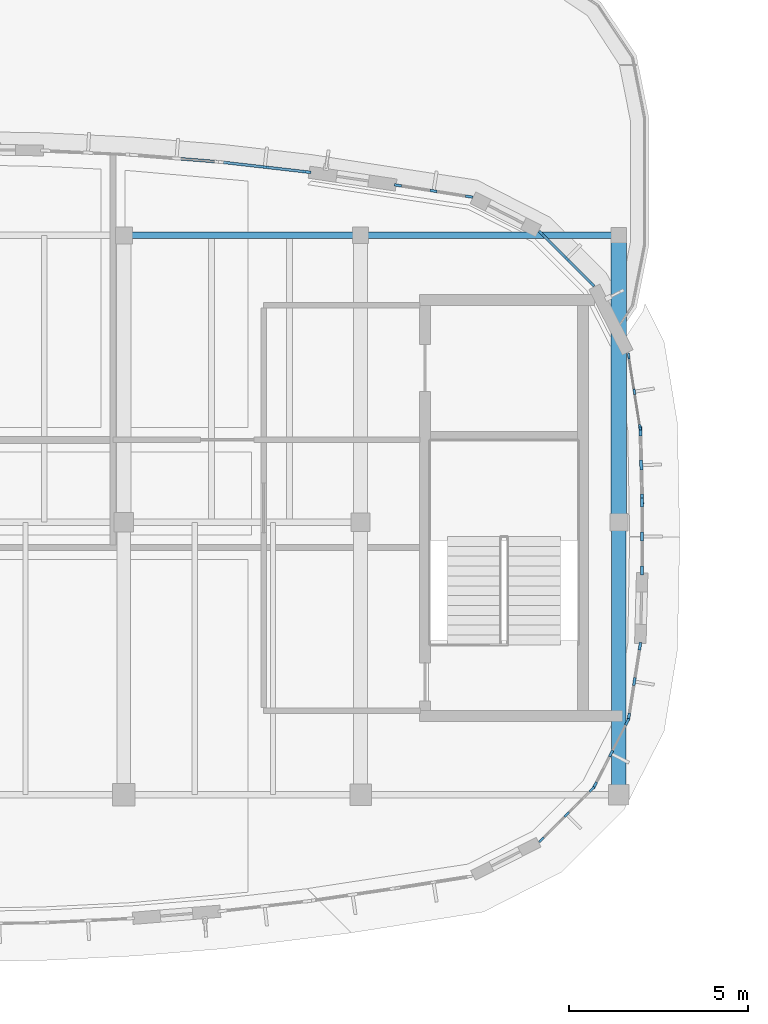
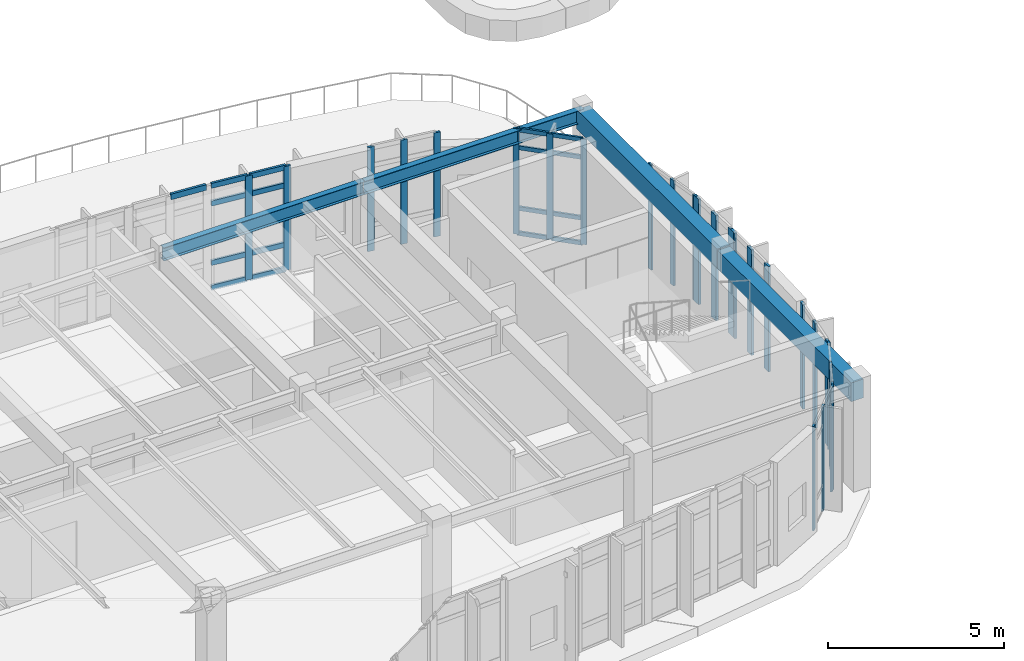
# One storey, part 32 of 111: 43 members, 4 beams, 10 elements without a shape of their own.
"""IFC4 building model written with IfcOpenShell, lengths in metres."""

from ifc_helpers import new_model, si_unit, direction, frame, origin, origin_2d, place, context, subcontext, project, spatial, rectangle, i_section, extrude, material, material_profile, profile_set, type_object, element, aggregate, save


model = new_model("IFC4")

# Units and contexts
model_context = context("Model", 3, precision=1e-05, world=origin(), true_north=direction((0.0, 1.0)))
body_context = subcontext(model_context, "Body", "Model", "MODEL_VIEW")
ifc_project = project(units=[si_unit("LENGTHUNIT", "METRE"), si_unit("AREAUNIT", "SQUARE_METRE"), si_unit("VOLUMEUNIT", "CUBIC_METRE"), si_unit("PLANEANGLEUNIT", "RADIAN"), si_unit("MASSUNIT", "GRAM", prefix="KILO")], contexts=[model_context])

# Site, building, storey
site_placement = place(None, origin())
site = spatial("IfcSite", under=ifc_project, at=site_placement, CompositionType="ELEMENT")
building_placement = place(site_placement, origin())
building = spatial("IfcBuilding", under=site, at=building_placement, Name="Corveleigh Park Community Centre", CompositionType="ELEMENT")
storey_placement = place(building_placement, frame((0.0, 0.0, 4.800048828125)))
storey = spatial("IfcBuildingStorey", under=building, at=storey_placement, Name="L01", CompositionType="ELEMENT", Elevation=4.800048828125)

# Beams
ifc_material_1 = material(Name="Concrete C40/50", Category="concrete")
ifc_material_profile_1 = material_profile(ifc_material_1, rectangle(XDim=0.39990234375, YDim=0.64990234375, at=origin_2d()), Name="RC-400x650", Category="concrete")
ifc_profile_set_1 = profile_set([ifc_material_profile_1], Name="Concrete C40/50")
beam_type_1 = type_object("IfcBeamType", Name="BM-RC-400x650", PredefinedType="BEAM", material=ifc_profile_set_1)
beam_1_placement = place(storey_placement, frame((108.0, 11.205078125, 3.294921875), z_axis=(0.0, 1.0, 0.0), x_axis=(-1.0, 0.0, 0.0)))
element("IfcBeam", 1, at=beam_1_placement, inside=storey, type_object=beam_type_1, Name="V3 Girder Y", PredefinedType="BEAM", context=body_context, shape_type="SweptSolid", body=[
    extrude(rectangle(XDim=0.39990234375, YDim=0.64990234375, at=origin_2d()), origin(), (0.0, 0.0, 1.0), 7.58984375),
])
ifc_material_profile_2 = material_profile(ifc_material_1, rectangle(XDim=0.425048828125, YDim=0.675048828125, at=origin_2d()), Name="RC-425x675", Category="concrete")
ifc_profile_set_2 = profile_set([ifc_material_profile_2], Name="Concrete C40/50")
beam_type_2 = type_object("IfcBeamType", Name="BM-RC-425x675", PredefinedType="BEAM", material=ifc_profile_set_2)
beam_2_placement = place(storey_placement, frame((108.0, 18.804931640625, 3.3193359375), z_axis=(0.0, 1.0, 0.0), x_axis=(-1.0, 0.0, 0.0)))
element("IfcBeam", 2, at=beam_2_placement, inside=storey, type_object=beam_type_2, Name="V3 Girder Y", PredefinedType="BEAM", context=body_context, shape_type="SweptSolid", body=[
    extrude(rectangle(XDim=0.425048828125, YDim=0.675048828125, at=origin_2d()), origin(), (0.0, 0.0, 1.0), 7.989990234375),
])
ifc_material_2 = material(Name="Steel S355", Category="steel")
ifc_material_profile_3 = material_profile(ifc_material_2, i_section(OverallWidth=0.18994140625, OverallDepth=0.453369140625, WebThickness=0.008544921875, FlangeThickness=0.0126953125, at=origin_2d()), Name="UKB 457x191x67", Category="steel")
ifc_profile_set_3 = profile_set([ifc_material_profile_3], Name="Steel S355")
beam_type_3 = type_object("IfcBeamType", Name="BM-STL-UKB457x67", PredefinedType="BEAM", material=ifc_profile_set_3)
beam_3_placement = place(storey_placement, frame((94.205078125, 26.800048828125, 3.43017578125), z_axis=(1.0, 0.0, 0.0), x_axis=(0.0, 1.0, 0.0)))
element("IfcBeam", 3, at=beam_3_placement, inside=storey, type_object=beam_type_3, Name="V3 Girder X", PredefinedType="BEAM", context=body_context, shape_type="SweptSolid", body=[
    extrude(i_section(OverallWidth=0.18994140625, OverallDepth=0.453369140625, WebThickness=0.008544921875, FlangeThickness=0.0126953125, at=origin_2d()), origin(), (0.0, 0.0, 1.0), 6.58984375),
])
ifc_material_profile_4 = material_profile(ifc_material_2, i_section(OverallWidth=0.1904296875, OverallDepth=0.45703125, WebThickness=0.009033203125, FlangeThickness=0.014404296875, at=origin_2d()), Name="UKB 457x191x74", Category="steel")
ifc_profile_set_4 = profile_set([ifc_material_profile_4], Name="Steel S355")
beam_type_4 = type_object("IfcBeamType", Name="BM-STL-UKB457x74", PredefinedType="BEAM", material=ifc_profile_set_4)
beam_4_placement = place(storey_placement, frame((100.804931640625, 26.800048828125, 3.428466796875), z_axis=(1.0, 0.0, 0.0), x_axis=(0.0, 1.0, 0.0)))
element("IfcBeam", 4, at=beam_4_placement, inside=storey, type_object=beam_type_4, Name="V3 Girder X", PredefinedType="BEAM", context=body_context, shape_type="SweptSolid", body=[
    extrude(i_section(OverallWidth=0.1904296875, OverallDepth=0.45703125, WebThickness=0.009033203125, FlangeThickness=0.014404296875, at=origin_2d()), origin(), (0.0, 0.0, 1.0), 7.190185546875),
])

# Curtain wall, members
ifc_material_3 = material(Name="Anodised aluminium 6063-T6", Category="aluminium")
curtain_wall_type = type_object("IfcCurtainWallType", Name="CW-SYS-V3-UPP", PredefinedType="NOTDEFINED", material=ifc_material_3)
curtain_wall_1_placement = place(storey_placement, origin())
curtain_wall_1 = element("IfcCurtainWall", 5, at=curtain_wall_1_placement, inside=storey, type_object=curtain_wall_type, Name="V3 L01 Curtain Wall 241", PredefinedType="NOTDEFINED")
ifc_material_profile_5 = material_profile(ifc_material_3, rectangle(XDim=0.06005859375, YDim=0.159912109375, at=origin_2d()), Name="ALU-M60x160", Category="aluminium")
ifc_profile_set_5 = profile_set([ifc_material_profile_5], Name="Anodised aluminium 6063-T6")
member_type_1 = type_object("IfcMemberType", Name="CWM-60x160", PredefinedType="MULLION", material=ifc_profile_set_5)
member_1_placement = place(storey_placement, frame((108.277587890625, 23.433349609375, 0.0), z_axis=(0.0, 0.0, 1.0), x_axis=(0.987668756947, 0.156558061275, 0.0)))
member_1 = element("IfcMember", 6, at=member_1_placement, type_object=member_type_1, Name="CW06 mullion 1", PredefinedType="MULLION", context=body_context, shape_type="SweptSolid", body=[
    extrude(rectangle(XDim=0.06005859375, YDim=0.159912109375, at=origin_2d()), origin(), (0.0, 0.0, 1.0), 3.656982421875),
])
member_2_placement = place(storey_placement, frame((108.43505859375, 22.44091796875, 0.0), z_axis=(0.0, 0.0, 1.0), x_axis=(0.987668756947, 0.156558061275, 0.0)))
member_2 = element("IfcMember", 7, at=member_2_placement, type_object=member_type_1, Name="CW06 mullion 2", PredefinedType="MULLION", context=body_context, shape_type="SweptSolid", body=[
    extrude(rectangle(XDim=0.06005859375, YDim=0.159912109375, at=origin_2d()), origin(), (0.0, 0.0, 1.0), 3.656982421875),
])
member_3_placement = place(storey_placement, frame((108.59228515625, 21.44873046875, 0.0), z_axis=(0.0, 0.0, 1.0), x_axis=(0.987668756947, 0.156558061275, 0.0)))
member_3 = element("IfcMember", 8, at=member_3_placement, type_object=member_type_1, Name="CW06 mullion 3", PredefinedType="MULLION", context=body_context, shape_type="SweptSolid", body=[
    extrude(rectangle(XDim=0.06005859375, YDim=0.159912109375, at=origin_2d()), origin(), (0.0, 0.0, 1.0), 3.656982421875),
])
aggregate(curtain_wall_1, [member_1, member_2, member_3])

curtain_wall_2_placement = place(storey_placement, origin())
curtain_wall_2 = element("IfcCurtainWall", 9, at=curtain_wall_2_placement, inside=storey, type_object=curtain_wall_type, Name="V3 L01 Curtain Wall 236", PredefinedType="NOTDEFINED")
ifc_material_profile_6 = material_profile(ifc_material_3, rectangle(XDim=0.06494140625, YDim=0.179931640625, at=origin_2d()), Name="ALU-M65x180", Category="aluminium")
ifc_profile_set_6 = profile_set([ifc_material_profile_6], Name="Anodised aluminium 6063-T6")
member_type_2 = type_object("IfcMemberType", Name="CWM-65x180", PredefinedType="MULLION", material=ifc_profile_set_6)
member_4_placement = place(storey_placement, frame((107.2509765625, 11.35302734375, 0.0), z_axis=(0.0, 0.0, 1.0), x_axis=(0.707106781187, -0.707106781187, 0.0)))
member_4 = element("IfcMember", 10, at=member_4_placement, type_object=member_type_2, Name="CW06 mullion 1", PredefinedType="MULLION", context=body_context, shape_type="SweptSolid", body=[
    extrude(rectangle(XDim=0.06494140625, YDim=0.179931640625, at=origin_2d()), origin(), (0.0, 0.0, 1.0), 3.619873046875),
])
member_5_placement = place(storey_placement, frame((106.549072265625, 10.65087890625, 0.0), z_axis=(0.0, 0.0, 1.0), x_axis=(0.707106781187, -0.707106781187, 0.0)))
member_5 = element("IfcMember", 11, at=member_5_placement, type_object=member_type_2, Name="CW06 mullion 2", PredefinedType="MULLION", context=body_context, shape_type="SweptSolid", body=[
    extrude(rectangle(XDim=0.06494140625, YDim=0.179931640625, at=origin_2d()), origin(), (0.0, 0.0, 1.0), 3.619873046875),
])
member_6_placement = place(storey_placement, frame((105.846923828125, 9.948974609375, 0.0), z_axis=(0.0, 0.0, 1.0), x_axis=(0.707106781187, -0.707106781187, 0.0)))
member_6 = element("IfcMember", 12, at=member_6_placement, type_object=member_type_2, Name="CW06 mullion 3", PredefinedType="MULLION", context=body_context, shape_type="SweptSolid", body=[
    extrude(rectangle(XDim=0.06494140625, YDim=0.179931640625, at=origin_2d()), origin(), (0.0, 0.0, 1.0), 3.619873046875),
])
aggregate(curtain_wall_2, [member_4, member_5, member_6])

curtain_wall_3_placement = place(storey_placement, origin())
curtain_wall_3 = element("IfcCurtainWall", 13, at=curtain_wall_3_placement, inside=storey, type_object=curtain_wall_type, Name="V3 L01 Curtain Wall 242", PredefinedType="NOTDEFINED")
member_7_placement = place(storey_placement, frame((105.846923828125, 26.85107421875, 0.0), z_axis=(0.0, 0.0, 1.0), x_axis=(0.707106781187, 0.707106781187, 0.0)))
member_7 = element("IfcMember", 14, at=member_7_placement, type_object=member_type_2, Name="CW06 mullion 1", PredefinedType="MULLION", context=body_context, shape_type="SweptSolid", body=[
    extrude(rectangle(XDim=0.06494140625, YDim=0.179931640625, at=origin_2d()), origin(), (0.0, 0.0, 1.0), 3.656982421875),
])
member_8_placement = place(storey_placement, frame((106.549072265625, 26.14892578125, 0.0), z_axis=(0.0, 0.0, 1.0), x_axis=(0.707106781187, 0.707106781187, 0.0)))
member_8 = element("IfcMember", 15, at=member_8_placement, type_object=member_type_2, Name="CW06 mullion 2", PredefinedType="MULLION", context=body_context, shape_type="SweptSolid", body=[
    extrude(rectangle(XDim=0.06494140625, YDim=0.179931640625, at=origin_2d()), origin(), (0.0, 0.0, 1.0), 3.656982421875),
])
member_9_placement = place(storey_placement, frame((107.2509765625, 25.447021484375, 0.0), z_axis=(0.0, 0.0, 1.0), x_axis=(0.707106781187, 0.707106781187, 0.0)))
member_9 = element("IfcMember", 16, at=member_9_placement, type_object=member_type_2, Name="CW06 mullion 3", PredefinedType="MULLION", context=body_context, shape_type="SweptSolid", body=[
    extrude(rectangle(XDim=0.06494140625, YDim=0.179931640625, at=origin_2d()), origin(), (0.0, 0.0, 1.0), 3.656982421875),
])

curtain_wall_4_placement = place(storey_placement, origin())
curtain_wall_4 = element("IfcCurtainWall", 17, at=curtain_wall_4_placement, inside=storey, type_object=curtain_wall_type, Name="V3 L01 Curtain Wall 237", PredefinedType="NOTDEFINED")
ifc_material_profile_7 = material_profile(ifc_material_3, rectangle(XDim=0.070068359375, YDim=0.199951171875, at=origin_2d()), Name="ALU-M70x200", Category="aluminium")
ifc_profile_set_7 = profile_set([ifc_material_profile_7], Name="Anodised aluminium 6063-T6")
member_type_3 = type_object("IfcMemberType", Name="CWM-70x200", PredefinedType="MULLION", material=ifc_profile_set_7)
member_10_placement = place(storey_placement, frame((108.234130859375, 13.23388671875, 0.0), z_axis=(0.0, 0.0, 1.0), x_axis=(0.890890679418, -0.454217786228, 0.0)))
member_10 = element("IfcMember", 18, at=member_10_placement, type_object=member_type_3, Name="CW06 mullion 1", PredefinedType="MULLION", context=body_context, shape_type="SweptSolid", body=[
    extrude(rectangle(XDim=0.070068359375, YDim=0.199951171875, at=origin_2d()), origin(), (0.0, 0.0, 1.0), 3.619873046875),
])
member_11_placement = place(storey_placement, frame((107.783935546875, 12.35107421875, 0.0), z_axis=(0.0, 0.0, 1.0), x_axis=(0.890890679418, -0.454217786228, 0.0)))
member_11 = element("IfcMember", 19, at=member_11_placement, type_object=member_type_3, Name="CW06 mullion 2", PredefinedType="MULLION", context=body_context, shape_type="SweptSolid", body=[
    extrude(rectangle(XDim=0.070068359375, YDim=0.199951171875, at=origin_2d()), origin(), (0.0, 0.0, 1.0), 3.619873046875),
])
member_12_placement = place(storey_placement, frame((107.333984375, 11.46826171875, 0.0), z_axis=(0.0, 0.0, 1.0), x_axis=(0.890890679418, -0.454217786228, 0.0)))
member_12 = element("IfcMember", 20, at=member_12_placement, type_object=member_type_3, Name="CW06 mullion 3", PredefinedType="MULLION", context=body_context, shape_type="SweptSolid", body=[
    extrude(rectangle(XDim=0.070068359375, YDim=0.199951171875, at=origin_2d()), origin(), (0.0, 0.0, 1.0), 3.619873046875),
])
aggregate(curtain_wall_4, [member_10, member_11, member_12])

curtain_wall_5_placement = place(storey_placement, origin())
curtain_wall_5 = element("IfcCurtainWall", 21, at=curtain_wall_5_placement, inside=storey, type_object=curtain_wall_type, Name="V3 L01 Curtain Wall 243", PredefinedType="NOTDEFINED")
member_13_placement = place(storey_placement, frame((101.841552734375, 28.193603515625, 0.0), z_axis=(0.0, 0.0, 1.0), x_axis=(0.156603912946, 0.987661487783, 0.0)))
member_13 = element("IfcMember", 22, at=member_13_placement, type_object=member_type_3, Name="CW06 mullion 1", PredefinedType="MULLION", context=body_context, shape_type="SweptSolid", body=[
    extrude(rectangle(XDim=0.070068359375, YDim=0.199951171875, at=origin_2d()), origin(), (0.0, 0.0, 1.0), 3.612060546875),
])
member_14_placement = place(storey_placement, frame((102.8349609375, 28.035888671875, 0.0), z_axis=(0.0, 0.0, 1.0), x_axis=(0.156603912946, 0.987661487783, 0.0)))
member_14 = element("IfcMember", 23, at=member_14_placement, type_object=member_type_3, Name="CW06 mullion 2", PredefinedType="MULLION", context=body_context, shape_type="SweptSolid", body=[
    extrude(rectangle(XDim=0.070068359375, YDim=0.199951171875, at=origin_2d()), origin(), (0.0, 0.0, 1.0), 3.612060546875),
])
member_15_placement = place(storey_placement, frame((103.828369140625, 27.87841796875, 0.0), z_axis=(0.0, 0.0, 1.0), x_axis=(0.156603912946, 0.987661487783, 0.0)))
member_15 = element("IfcMember", 24, at=member_15_placement, type_object=member_type_3, Name="CW06 mullion 3", PredefinedType="MULLION", context=body_context, shape_type="SweptSolid", body=[
    extrude(rectangle(XDim=0.070068359375, YDim=0.199951171875, at=origin_2d()), origin(), (0.0, 0.0, 1.0), 3.612060546875),
])
aggregate(curtain_wall_5, [member_13, member_14, member_15])

curtain_wall_6_placement = place(storey_placement, origin())
curtain_wall_6 = element("IfcCurtainWall", 25, at=curtain_wall_6_placement, inside=storey, type_object=curtain_wall_type, Name="V3 L01 Curtain Wall 238", PredefinedType="NOTDEFINED")
ifc_material_profile_8 = material_profile(ifc_material_3, rectangle(XDim=0.074951171875, YDim=0.219970703125, at=origin_2d()), Name="ALU-M75x220", Category="aluminium")
ifc_profile_set_8 = profile_set([ifc_material_profile_8], Name="Anodised aluminium 6063-T6")
member_type_4 = type_object("IfcMemberType", Name="CWM-75x220", PredefinedType="MULLION", material=ifc_profile_set_8)
member_16_placement = place(storey_placement, frame((108.591064453125, 15.343994140625, 0.0), z_axis=(0.0, 0.0, 1.0), x_axis=(0.987668756947, -0.156558061275, 0.0)))
member_16 = element("IfcMember", 26, at=member_16_placement, type_object=member_type_4, Name="CW06 mullion 1", PredefinedType="MULLION", context=body_context, shape_type="SweptSolid", body=[
    extrude(rectangle(XDim=0.074951171875, YDim=0.219970703125, at=origin_2d()), origin(), (0.0, 0.0, 1.0), 3.619873046875),
])
member_17_placement = place(storey_placement, frame((108.43505859375, 14.35888671875, 0.0), z_axis=(0.0, 0.0, 1.0), x_axis=(0.987668756947, -0.156558061275, 0.0)))
member_17 = element("IfcMember", 27, at=member_17_placement, type_object=member_type_4, Name="CW06 mullion 2", PredefinedType="MULLION", context=body_context, shape_type="SweptSolid", body=[
    extrude(rectangle(XDim=0.074951171875, YDim=0.219970703125, at=origin_2d()), origin(), (0.0, 0.0, 1.0), 3.619873046875),
])
member_18_placement = place(storey_placement, frame((108.27880859375, 13.3740234375, 0.0), z_axis=(0.0, 0.0, 1.0), x_axis=(0.987668756947, -0.156558061275, 0.0)))
member_18 = element("IfcMember", 28, at=member_18_placement, type_object=member_type_4, Name="CW06 mullion 3", PredefinedType="MULLION", context=body_context, shape_type="SweptSolid", body=[
    extrude(rectangle(XDim=0.074951171875, YDim=0.219970703125, at=origin_2d()), origin(), (0.0, 0.0, 1.0), 3.619873046875),
])
aggregate(curtain_wall_6, [member_16, member_17, member_18])

curtain_wall_7_placement = place(storey_placement, origin())
curtain_wall_7 = element("IfcCurtainWall", 29, at=curtain_wall_7_placement, inside=storey, type_object=curtain_wall_type, Name="V3 L01 Curtain Wall 244", PredefinedType="NOTDEFINED")
member_19_placement = place(storey_placement, frame((98.12841796875, 28.701416015625, 0.0), z_axis=(0.0, 0.0, 1.0), x_axis=(0.113742050835, 0.99351031493, 0.0)))
member_19 = element("IfcMember", 30, at=member_19_placement, type_object=member_type_4, Name="CW06 mullion 2", PredefinedType="MULLION", context=body_context, shape_type="SweptSolid", body=[
    extrude(rectangle(XDim=0.074951171875, YDim=0.219970703125, at=origin_2d()), origin(), (0.0, 0.0, 1.0), 3.612060546875),
])
member_20_placement = place(storey_placement, frame((99.309814453125, 28.566162109375, 0.0), z_axis=(0.0, 0.0, 1.0), x_axis=(0.113742050835, 0.99351031493, 0.0)))
member_20 = element("IfcMember", 31, at=member_20_placement, type_object=member_type_4, Name="CW06 mullion 3", PredefinedType="MULLION", context=body_context, shape_type="SweptSolid", body=[
    extrude(rectangle(XDim=0.074951171875, YDim=0.219970703125, at=origin_2d()), origin(), (0.0, 0.0, 1.0), 3.612060546875),
])

curtain_wall_8_placement = place(storey_placement, origin())
curtain_wall_8 = element("IfcCurtainWall", 32, at=curtain_wall_8_placement, inside=storey, type_object=curtain_wall_type, Name="V3 L01 Curtain Wall 239", PredefinedType="NOTDEFINED")
ifc_material_profile_9 = material_profile(ifc_material_3, rectangle(XDim=0.080078125, YDim=0.25, at=origin_2d()), Name="ALU-M80x250", Category="aluminium")
ifc_profile_set_9 = profile_set([ifc_material_profile_9], Name="Anodised aluminium 6063-T6")
member_type_5 = type_object("IfcMemberType", Name="CWM-80x250", PredefinedType="MULLION", material=ifc_profile_set_9)
member_21_placement = place(storey_placement, frame((108.652099609375, 19.35107421875, 0.0), z_axis=(0.0, 0.0, 1.0), x_axis=(1.0, 0.0, 0.0)))
member_21 = element("IfcMember", 33, at=member_21_placement, type_object=member_type_5, Name="CW06 mullion 1", PredefinedType="MULLION", context=body_context, shape_type="SweptSolid", body=[
    extrude(rectangle(XDim=0.080078125, YDim=0.25, at=origin_2d()), origin(), (0.0, 0.0, 1.0), 3.656982421875),
])
member_22_placement = place(storey_placement, frame((108.652099609375, 18.39990234375, 0.0), z_axis=(0.0, 0.0, 1.0), x_axis=(1.0, 0.0, 0.0)))
member_22 = element("IfcMember", 34, at=member_22_placement, type_object=member_type_5, Name="CW06 mullion 2", PredefinedType="MULLION", context=body_context, shape_type="SweptSolid", body=[
    extrude(rectangle(XDim=0.080078125, YDim=0.25, at=origin_2d()), origin(), (0.0, 0.0, 1.0), 3.656982421875),
])
member_23_placement = place(storey_placement, frame((108.652099609375, 17.448974609375, 0.0), z_axis=(0.0, 0.0, 1.0), x_axis=(1.0, 0.0, 0.0)))
member_23 = element("IfcMember", 35, at=member_23_placement, type_object=member_type_5, Name="CW06 mullion 3", PredefinedType="MULLION", context=body_context, shape_type="SweptSolid", body=[
    extrude(rectangle(XDim=0.080078125, YDim=0.25, at=origin_2d()), origin(), (0.0, 0.0, 1.0), 3.656982421875),
])
aggregate(curtain_wall_8, [member_21, member_22, member_23])

curtain_wall_9_placement = place(storey_placement, origin())
curtain_wall_9 = element("IfcCurtainWall", 36, at=curtain_wall_9_placement, inside=storey, type_object=curtain_wall_type, Name="V3 L01 Curtain Wall 240", PredefinedType="NOTDEFINED")
ifc_material_profile_10 = material_profile(ifc_material_3, rectangle(XDim=0.0849609375, YDim=0.27490234375, at=origin_2d()), Name="ALU-M85x275", Category="aluminium")
ifc_profile_set_10 = profile_set([ifc_material_profile_10], Name="Anodised aluminium 6063-T6")
member_type_6 = type_object("IfcMemberType", Name="CWM-85x275", PredefinedType="MULLION", material=ifc_profile_set_10)
member_24_placement = place(storey_placement, frame((108.60107421875, 21.338623046875, 0.0), z_axis=(0.0, 0.0, 1.0), x_axis=(0.999652514683, 0.026360005464, 0.0)))
member_24 = element("IfcMember", 37, at=member_24_placement, type_object=member_type_6, Name="CW06 mullion 1", PredefinedType="MULLION", context=body_context, shape_type="SweptSolid", body=[
    extrude(rectangle(XDim=0.0849609375, YDim=0.27490234375, at=origin_2d()), origin(), (0.0, 0.0, 1.0), 3.656982421875),
])
member_25_placement = place(storey_placement, frame((108.6259765625, 20.39501953125, 0.0), z_axis=(0.0, 0.0, 1.0), x_axis=(0.999652514683, 0.026360005464, 0.0)))
member_25 = element("IfcMember", 38, at=member_25_placement, type_object=member_type_6, Name="CW06 mullion 2", PredefinedType="MULLION", context=body_context, shape_type="SweptSolid", body=[
    extrude(rectangle(XDim=0.0849609375, YDim=0.27490234375, at=origin_2d()), origin(), (0.0, 0.0, 1.0), 3.656982421875),
])
member_26_placement = place(storey_placement, frame((108.65087890625, 19.451416015625, 0.0), z_axis=(0.0, 0.0, 1.0), x_axis=(0.999652514683, 0.026360005464, 0.0)))
member_26 = element("IfcMember", 39, at=member_26_placement, type_object=member_type_6, Name="CW06 mullion 3", PredefinedType="MULLION", context=body_context, shape_type="SweptSolid", body=[
    extrude(rectangle(XDim=0.0849609375, YDim=0.27490234375, at=origin_2d()), origin(), (0.0, 0.0, 1.0), 3.656982421875),
])
aggregate(curtain_wall_9, [member_24, member_25, member_26])

# Member
ifc_material_profile_11 = material_profile(ifc_material_3, rectangle(XDim=0.06494140625, YDim=0.139892578125, at=origin_2d()), Name="ALU-T65x140", Category="aluminium")
ifc_profile_set_11 = profile_set([ifc_material_profile_11], Name="Anodised aluminium 6063-T6")
member_type_7 = type_object("IfcMemberType", Name="CWT-65x140", PredefinedType="USERDEFINED", material=ifc_profile_set_11)
member_27_placement = place(storey_placement, frame((105.869873046875, 26.828125, 0.032470703125), z_axis=(0.707106781187, -0.707106781187, 0.0), x_axis=(0.707106781187, 0.707106781187, 0.0)))
member_27 = element("IfcMember", 40, at=member_27_placement, type_object=member_type_7, Name="CW06 transom 1.1", ObjectType="TRANSOM", PredefinedType="USERDEFINED", context=body_context, shape_type="SweptSolid", body=[
    extrude(rectangle(XDim=0.06494140625, YDim=0.139892578125, at=origin_2d()), origin(), (0.0, 0.0, 1.0), 0.927978515625),
])

member_28_placement = place(storey_placement, frame((105.869873046875, 26.828125, 0.89990234375), z_axis=(0.707106781187, -0.707106781187, 0.0), x_axis=(0.707106781187, 0.707106781187, 0.0)))
member_28 = element("IfcMember", 41, at=member_28_placement, type_object=member_type_7, Name="CW06 transom 1.2", ObjectType="TRANSOM", PredefinedType="USERDEFINED", context=body_context, shape_type="SweptSolid", body=[
    extrude(rectangle(XDim=0.06494140625, YDim=0.139892578125, at=origin_2d()), origin(), (0.0, 0.0, 1.0), 0.927978515625),
])

member_29_placement = place(storey_placement, frame((105.869873046875, 26.828125, 3.0068359375), z_axis=(0.707106781187, -0.707106781187, 0.0), x_axis=(0.707106781187, 0.707106781187, 0.0)))
member_29 = element("IfcMember", 42, at=member_29_placement, type_object=member_type_7, Name="CW06 transom 1.3", ObjectType="TRANSOM", PredefinedType="USERDEFINED", context=body_context, shape_type="SweptSolid", body=[
    extrude(rectangle(XDim=0.06494140625, YDim=0.139892578125, at=origin_2d()), origin(), (0.0, 0.0, 1.0), 0.927978515625),
])

member_30_placement = place(storey_placement, frame((105.869873046875, 26.828125, 3.62451171875), z_axis=(0.707106781187, -0.707106781187, 0.0), x_axis=(0.707106781187, 0.707106781187, 0.0)))
member_30 = element("IfcMember", 43, at=member_30_placement, type_object=member_type_7, Name="CW06 transom 1.4", ObjectType="TRANSOM", PredefinedType="USERDEFINED", context=body_context, shape_type="SweptSolid", body=[
    extrude(rectangle(XDim=0.06494140625, YDim=0.139892578125, at=origin_2d()), origin(), (0.0, 0.0, 1.0), 0.927978515625),
])

member_31_placement = place(storey_placement, frame((106.572021484375, 26.1259765625, 0.032470703125), z_axis=(0.707106781187, -0.707106781187, 0.0), x_axis=(0.707106781187, 0.707106781187, 0.0)))
member_31 = element("IfcMember", 44, at=member_31_placement, type_object=member_type_7, Name="CW06 transom 2.1", ObjectType="TRANSOM", PredefinedType="USERDEFINED", context=body_context, shape_type="SweptSolid", body=[
    extrude(rectangle(XDim=0.06494140625, YDim=0.139892578125, at=origin_2d()), origin(), (0.0, 0.0, 1.0), 0.927734375),
])

member_32_placement = place(storey_placement, frame((106.572021484375, 26.1259765625, 0.89990234375), z_axis=(0.707106781187, -0.707106781187, 0.0), x_axis=(0.707106781187, 0.707106781187, 0.0)))
member_32 = element("IfcMember", 45, at=member_32_placement, type_object=member_type_7, Name="CW06 transom 2.2", ObjectType="TRANSOM", PredefinedType="USERDEFINED", context=body_context, shape_type="SweptSolid", body=[
    extrude(rectangle(XDim=0.06494140625, YDim=0.139892578125, at=origin_2d()), origin(), (0.0, 0.0, 1.0), 0.927734375),
])

member_33_placement = place(storey_placement, frame((106.572021484375, 26.1259765625, 3.0068359375), z_axis=(0.707106781187, -0.707106781187, 0.0), x_axis=(0.707106781187, 0.707106781187, 0.0)))
member_33 = element("IfcMember", 46, at=member_33_placement, type_object=member_type_7, Name="CW06 transom 2.3", ObjectType="TRANSOM", PredefinedType="USERDEFINED", context=body_context, shape_type="SweptSolid", body=[
    extrude(rectangle(XDim=0.06494140625, YDim=0.139892578125, at=origin_2d()), origin(), (0.0, 0.0, 1.0), 0.927734375),
])

member_34_placement = place(storey_placement, frame((106.572021484375, 26.1259765625, 3.62451171875), z_axis=(0.707106781187, -0.707106781187, 0.0), x_axis=(0.707106781187, 0.707106781187, 0.0)))
member_34 = element("IfcMember", 47, at=member_34_placement, type_object=member_type_7, Name="CW06 transom 2.4", ObjectType="TRANSOM", PredefinedType="USERDEFINED", context=body_context, shape_type="SweptSolid", body=[
    extrude(rectangle(XDim=0.06494140625, YDim=0.139892578125, at=origin_2d()), origin(), (0.0, 0.0, 1.0), 0.927734375),
])

aggregate(curtain_wall_3, [member_7, member_8, member_9, member_27, member_28, member_29, member_30, member_31, member_32, member_33, member_34])

ifc_material_profile_12 = material_profile(ifc_material_3, rectangle(XDim=0.074951171875, YDim=0.175048828125, at=origin_2d()), Name="ALU-T75x175", Category="aluminium")
ifc_profile_set_12 = profile_set([ifc_material_profile_12], Name="Anodised aluminium 6063-T6")
member_type_8 = type_object("IfcMemberType", Name="CWT-75x175", PredefinedType="USERDEFINED", material=ifc_profile_set_12)
member_35_placement = place(storey_placement, frame((96.984619140625, 28.83251953125, 0.037353515625), z_axis=(0.993509339241, -0.113750572924, 0.0), x_axis=(0.113750572924, 0.993509339241, 0.0)))
member_35 = element("IfcMember", 48, at=member_35_placement, type_object=member_type_8, Name="CW06 transom 1.1", ObjectType="TRANSOM", PredefinedType="USERDEFINED", context=body_context, shape_type="SweptSolid", body=[
    extrude(rectangle(XDim=0.074951171875, YDim=0.175048828125, at=origin_2d()), origin(), (0.0, 0.0, 1.0), 1.114013671875),
])

member_36_placement = place(storey_placement, frame((96.984619140625, 28.83251953125, 0.89990234375), z_axis=(0.993509339241, -0.113750572924, 0.0), x_axis=(0.113750572924, 0.993509339241, 0.0)))
member_36 = element("IfcMember", 49, at=member_36_placement, type_object=member_type_8, Name="CW06 transom 1.2", ObjectType="TRANSOM", PredefinedType="USERDEFINED", context=body_context, shape_type="SweptSolid", body=[
    extrude(rectangle(XDim=0.074951171875, YDim=0.175048828125, at=origin_2d()), origin(), (0.0, 0.0, 1.0), 1.114013671875),
])

member_37_placement = place(storey_placement, frame((96.984619140625, 28.83251953125, 2.9619140625), z_axis=(0.993509339241, -0.113750572924, 0.0), x_axis=(0.113750572924, 0.993509339241, 0.0)))
member_37 = element("IfcMember", 50, at=member_37_placement, type_object=member_type_8, Name="CW06 transom 1.3", ObjectType="TRANSOM", PredefinedType="USERDEFINED", context=body_context, shape_type="SweptSolid", body=[
    extrude(rectangle(XDim=0.074951171875, YDim=0.175048828125, at=origin_2d()), origin(), (0.0, 0.0, 1.0), 1.114013671875),
])

member_38_placement = place(storey_placement, frame((96.984619140625, 28.83251953125, 3.574462890625), z_axis=(0.993509339241, -0.113750572924, 0.0), x_axis=(0.113750572924, 0.993509339241, 0.0)))
member_38 = element("IfcMember", 51, at=member_38_placement, type_object=member_type_8, Name="CW06 transom 1.4", ObjectType="TRANSOM", PredefinedType="USERDEFINED", context=body_context, shape_type="SweptSolid", body=[
    extrude(rectangle(XDim=0.074951171875, YDim=0.175048828125, at=origin_2d()), origin(), (0.0, 0.0, 1.0), 1.114013671875),
])

member_39_placement = place(storey_placement, frame((98.165771484375, 28.697265625, 0.037353515625), z_axis=(0.993509339241, -0.113750572924, 0.0), x_axis=(0.113750572924, 0.993509339241, 0.0)))
member_39 = element("IfcMember", 52, at=member_39_placement, type_object=member_type_8, Name="CW06 transom 2.1", ObjectType="TRANSOM", PredefinedType="USERDEFINED", context=body_context, shape_type="SweptSolid", body=[
    extrude(rectangle(XDim=0.074951171875, YDim=0.175048828125, at=origin_2d()), origin(), (0.0, 0.0, 1.0), 1.114013671875),
])

member_40_placement = place(storey_placement, frame((98.165771484375, 28.697265625, 0.89990234375), z_axis=(0.993509339241, -0.113750572924, 0.0), x_axis=(0.113750572924, 0.993509339241, 0.0)))
member_40 = element("IfcMember", 53, at=member_40_placement, type_object=member_type_8, Name="CW06 transom 2.2", ObjectType="TRANSOM", PredefinedType="USERDEFINED", context=body_context, shape_type="SweptSolid", body=[
    extrude(rectangle(XDim=0.074951171875, YDim=0.175048828125, at=origin_2d()), origin(), (0.0, 0.0, 1.0), 1.114013671875),
])

member_41_placement = place(storey_placement, frame((98.165771484375, 28.697265625, 2.9619140625), z_axis=(0.993509339241, -0.113750572924, 0.0), x_axis=(0.113750572924, 0.993509339241, 0.0)))
member_41 = element("IfcMember", 54, at=member_41_placement, type_object=member_type_8, Name="CW06 transom 2.3", ObjectType="TRANSOM", PredefinedType="USERDEFINED", context=body_context, shape_type="SweptSolid", body=[
    extrude(rectangle(XDim=0.074951171875, YDim=0.175048828125, at=origin_2d()), origin(), (0.0, 0.0, 1.0), 1.114013671875),
])

member_42_placement = place(storey_placement, frame((98.165771484375, 28.697265625, 3.574462890625), z_axis=(0.993509339241, -0.113750572924, 0.0), x_axis=(0.113750572924, 0.993509339241, 0.0)))
member_42 = element("IfcMember", 55, at=member_42_placement, type_object=member_type_8, Name="CW06 transom 2.4", ObjectType="TRANSOM", PredefinedType="USERDEFINED", context=body_context, shape_type="SweptSolid", body=[
    extrude(rectangle(XDim=0.074951171875, YDim=0.175048828125, at=origin_2d()), origin(), (0.0, 0.0, 1.0), 1.114013671875),
])

aggregate(curtain_wall_7, [member_19, member_20, member_35, member_36, member_37, member_38, member_39, member_40, member_41, member_42])

# Curtain wall, member
curtain_wall_10_placement = place(storey_placement, origin())
curtain_wall_10 = element("IfcCurtainWall", 56, at=curtain_wall_10_placement, inside=storey, type_object=curtain_wall_type, Name="V3 L01 Curtain Wall 245", PredefinedType="NOTDEFINED")
ifc_material_profile_13 = material_profile(ifc_material_3, rectangle(XDim=0.080078125, YDim=0.195068359375, at=origin_2d()), Name="ALU-T80x195", Category="aluminium")
ifc_profile_set_13 = profile_set([ifc_material_profile_13], Name="Anodised aluminium 6063-T6")
member_type_9 = type_object("IfcMemberType", Name="CWT-80x195", PredefinedType="USERDEFINED", material=ifc_profile_set_13)
member_43_placement = place(storey_placement, frame((95.70947265625, 28.939208984375, 3.572021484375), z_axis=(0.996715583413, -0.080981762035, 0.0), x_axis=(0.080981762035, 0.996715583413, 0.0)))
member_43 = element("IfcMember", 57, at=member_43_placement, type_object=member_type_9, Name="CW06 transom 2.4", ObjectType="TRANSOM", PredefinedType="USERDEFINED", context=body_context, shape_type="SweptSolid", body=[
    extrude(rectangle(XDim=0.080078125, YDim=0.195068359375, at=origin_2d()), origin(), (0.0, 0.0, 1.0), 1.1064453125),
])
aggregate(curtain_wall_10, [member_43])

save(model, "model.ifc")
